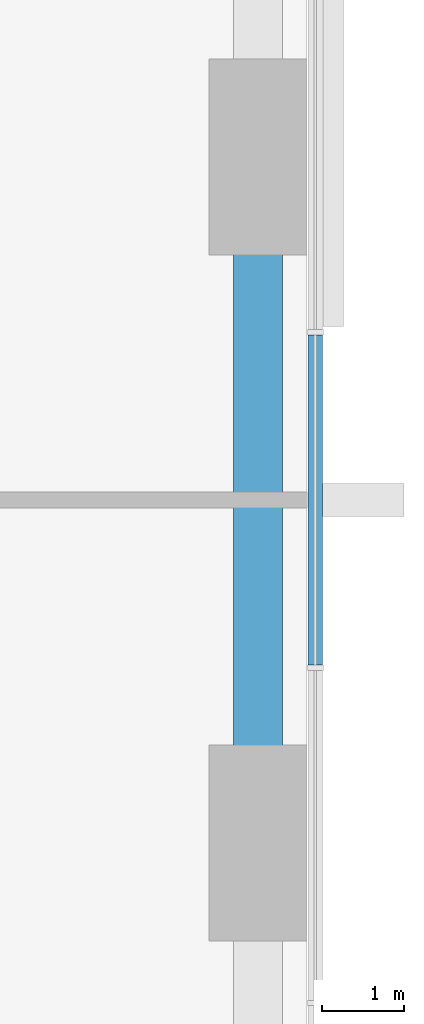
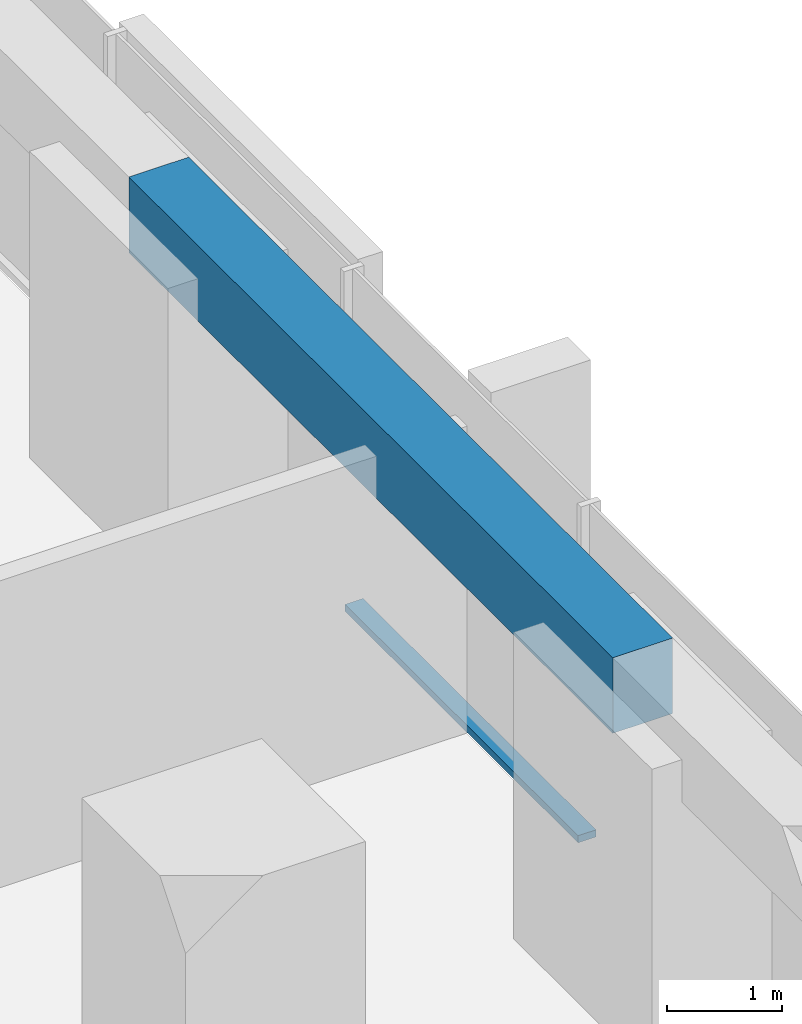
# One storey, part 5 of 17: 1 beam, 1 member, 1 element without a shape of its own.
"""IFC4 building model written with IfcOpenShell, lengths in metres."""

from ifc_helpers import new_model, si_unit, direction, frame, origin, origin_2d, place, context, subcontext, project, spatial, rectangle, extrude, material, material_profile, profile_set, type_object, element, aggregate, save


model = new_model("IFC4")

# Units and contexts
model_context = context("Model", 3, precision=1e-05, world=origin(), true_north=direction((0.0, 1.0)))
body_context = subcontext(model_context, "Body", "Model", "MODEL_VIEW")
ifc_project = project(units=[si_unit("LENGTHUNIT", "METRE"), si_unit("AREAUNIT", "SQUARE_METRE"), si_unit("VOLUMEUNIT", "CUBIC_METRE"), si_unit("PLANEANGLEUNIT", "RADIAN"), si_unit("MASSUNIT", "GRAM", prefix="KILO")], contexts=[model_context])

# Site, building, storey
site_placement = place(None, origin())
site = spatial("IfcSite", under=ifc_project, at=site_placement, CompositionType="ELEMENT")
building_placement = place(site_placement, origin())
building = spatial("IfcBuilding", under=site, at=building_placement, Name="Dunama Terrace Hotel", CompositionType="ELEMENT")
storey_placement = place(building_placement, frame((0.0, 0.0, 70.199951171875)))
storey = spatial("IfcBuildingStorey", under=building, at=storey_placement, Name="L17", CompositionType="ELEMENT", Elevation=70.199951171875)

# Curtain wall, member
ifc_material_1 = material(Name="Aluminium curtain wall system", Category="aluminium")
curtain_wall_type = type_object("IfcCurtainWallType", Name="Unitised fritted glass wall CW-A", PredefinedType="NOTDEFINED", material=ifc_material_1)
curtain_wall_placement = place(storey_placement, origin())
curtain_wall = element("IfcCurtainWall", 1, at=curtain_wall_placement, inside=storey, type_object=curtain_wall_type, Name="Unitised fritted glass wall CW-A L17", PredefinedType="NOTDEFINED")
ifc_material_2 = material(Name="Aluminium transom", Category="aluminium")
ifc_material_profile_1 = material_profile(ifc_material_2, rectangle(XDim=0.179931640625, YDim=0.074951171875, at=origin_2d()), Name="CWA TRANSOM 180X75")
ifc_profile_set_1 = profile_set([ifc_material_profile_1], Name="Aluminium transom")
member_type = type_object("IfcMemberType", Name="CWA transom 180x75", PredefinedType="USERDEFINED", material=ifc_profile_set_1)
member_placement = place(storey_placement, frame((58.89990234375, 27.37890625, 0.03759765625), z_axis=(0.0, 1.0, 0.0), x_axis=(-1.0, 0.0, 0.0)))
member = element("IfcMember", 2, at=member_placement, type_object=member_type, Name="CWA transom", ObjectType="TRANSOM", PredefinedType="USERDEFINED", context=body_context, shape_type="SweptSolid", body=[
    extrude(rectangle(XDim=0.179931640625, YDim=0.074951171875, at=origin_2d()), origin(), (0.0, 0.0, 1.0), 4.0419921875),
])
aggregate(curtain_wall, [member])

# Beam
ifc_material_3 = material(Name="Concrete C40/50", Category="concrete")
ifc_material_profile_2 = material_profile(ifc_material_3, rectangle(XDim=0.60009765625, YDim=0.800048828125, at=origin_2d()), Name="RC 600x800")
ifc_profile_set_2 = profile_set([ifc_material_profile_2], Name="Concrete C40/50")
beam_type = type_object("IfcBeamType", Name="Edge beam RC 600x800", PredefinedType="SPANDREL", material=ifc_profile_set_2)
beam_placement = place(storey_placement, frame((58.199951171875, 25.199951171875, 3.199951171875), z_axis=(0.0, 1.0, 0.0), x_axis=(-1.0, 0.0, 0.0)))
element("IfcBeam", 3, at=beam_placement, inside=storey, type_object=beam_type, Name="Edge beam under L18", PredefinedType="SPANDREL", context=body_context, shape_type="SweptSolid", body=[
    extrude(rectangle(XDim=0.60009765625, YDim=0.800048828125, at=origin_2d()), origin(), (0.0, 0.0, 1.0), 8.400146484375),
])

save(model, "model.ifc")
